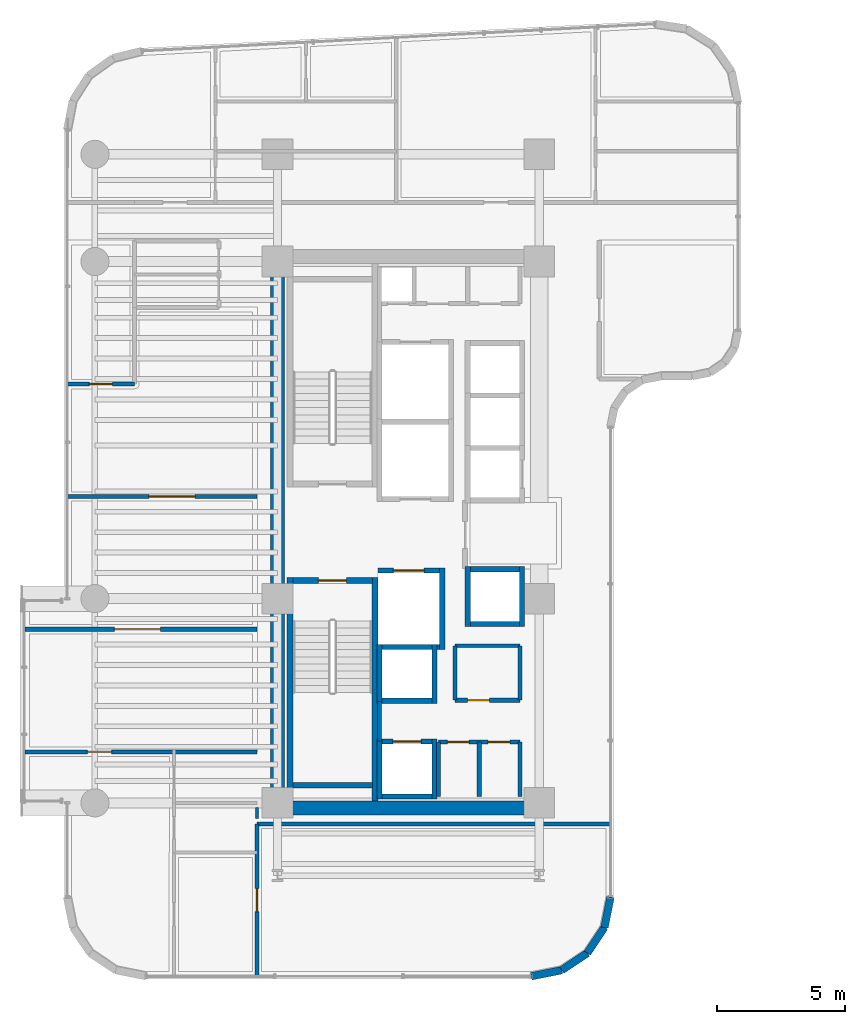
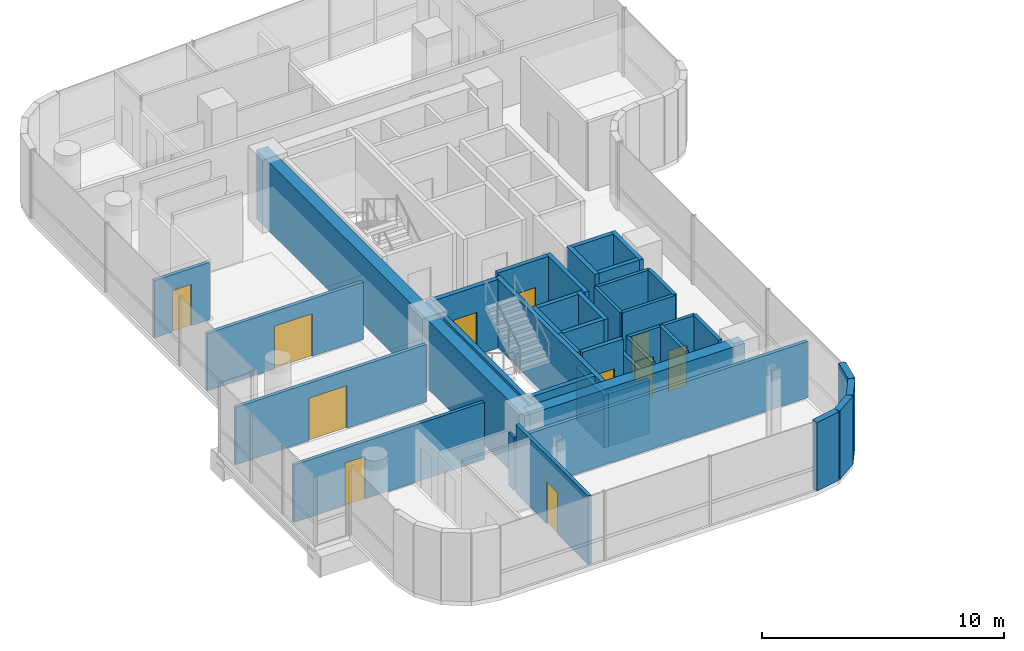
# One storey, part 26 of 34: 40 walls, 11 doors, 11 openings.
"""IFC4 building model written with IfcOpenShell, lengths in metres."""

from ifc_helpers import new_model, si_unit, direction, frame, frame_2d, origin, place, context, subcontext, project, spatial, rectangle, extrude, material, layer, layer_set, type_object, element, fill, save


model = new_model("IFC4")

# Units and contexts
model_context = context("Model", 3, precision=1e-05, world=origin(), true_north=direction((0.0, 1.0)))
body_context = subcontext(model_context, "Body", "Model", "MODEL_VIEW")
ifc_project = project(units=[si_unit("LENGTHUNIT", "METRE"), si_unit("AREAUNIT", "SQUARE_METRE"), si_unit("VOLUMEUNIT", "CUBIC_METRE"), si_unit("PLANEANGLEUNIT", "RADIAN"), si_unit("MASSUNIT", "GRAM", prefix="KILO")], contexts=[model_context])

# Site, building, storey
site_placement = place(None, origin())
site = spatial("IfcSite", under=ifc_project, at=site_placement, CompositionType="ELEMENT")
building_placement = place(site_placement, origin())
building = spatial("IfcBuilding", under=site, at=building_placement, Name="Valdorenza Pilgrim Sanctuary Tower", CompositionType="ELEMENT")
storey_placement = place(building_placement, frame((0.0, 0.0, 161.199951171875)))
storey = spatial("IfcBuildingStorey", under=building, at=storey_placement, Name="L41", CompositionType="ELEMENT", Elevation=161.199951171875)

# Wall
ifc_material_1 = material(Name="Acoustic twin-stud gypsum partition", Category="gypsum")
ifc_layer_1 = layer(ifc_material_1, 0.159912109375, Name="Acoustic twin-stud gypsum partition")
ifc_layer_set_1 = layer_set([ifc_layer_1], Name="Acoustic twin-stud gypsum partition")
wall_type_1 = type_object("IfcWallType", Name="WAL-COR-160", PredefinedType="PARTITIONING", material=ifc_layer_set_1)
wall_1_placement = place(storey_placement, frame((-18.64990234375, -8.179931640625, 0.0), z_axis=(0.0, 0.0, 1.0), x_axis=(0.0, 1.0, 0.0)))
element("IfcWall", 1, at=wall_1_placement, inside=storey, type_object=wall_type_1, Name="L41 Core A South Lift Hall West Wall", PredefinedType="PARTITIONING", context=body_context, shape_type="SweptSolid", body=[
    extrude(rectangle(XDim=1.559814453125, YDim=0.159912109375, at=frame_2d((0.77978515625, 0.0))), origin(), (0.0, 0.0, 1.0), 3.4599609375),
])

# Wall, openings, doors
wall_2_placement = place(storey_placement, frame((-16.35009765625, -8.219970703125, 0.0), z_axis=(0.0, 0.0, 1.0), x_axis=(1.0, 0.0, 0.0)))
wall_2 = element("IfcWall", 2, at=wall_2_placement, inside=storey, type_object=wall_type_1, Name="L41 Freed Shaft 1 North Wall", PredefinedType="PARTITIONING", context=body_context, shape_type="SweptSolid", body=[
    extrude(rectangle(XDim=3.2001953125, YDim=0.159912109375, at=frame_2d((1.60009765625, 0.0))), origin(), (0.0, 0.0, 1.0), 3.4599609375),
])
opening_1_placement = place(wall_2_placement, frame((0.35009765625, 0.0, 0.0)))
opening_1 = element("IfcOpeningElement", 3, at=opening_1_placement, cuts=wall_2, Name="Opening DR-RS1", PredefinedType="OPENING", context=body_context, shape_type="SweptSolid", body=[
    extrude(rectangle(XDim=0.85009765625, YDim=2.050048828125, at=frame_2d((0.425048828125, 1.02490234375))), frame((0.0, 0.0947265625, 0.0), z_axis=(0.0, -1.0, 0.0), x_axis=(1.0, 0.0, 0.0)), (0.0, 0.0, 1.0), 0.189697265625),
])
opening_2_placement = place(wall_2_placement, frame((1.949951171875, 0.0, 0.0)))
opening_2 = element("IfcOpeningElement", 4, at=opening_2_placement, cuts=wall_2, Name="Opening DR-RS1", PredefinedType="OPENING", context=body_context, shape_type="SweptSolid", body=[
    extrude(rectangle(XDim=0.85009765625, YDim=2.050048828125, at=frame_2d((0.425048828125, 1.02490234375))), frame((0.0, 0.0947265625, 0.0), z_axis=(0.0, -1.0, 0.0), x_axis=(1.0, 0.0, 0.0)), (0.0, 0.0, 1.0), 0.189697265625),
])
ifc_material_2 = material(Name="Painted galvanized steel", Category="steel")
door_type_1 = type_object("IfcDoorType", Name="DR-RSR-850", OperationType="NOTDEFINED", PredefinedType="DOOR", material=ifc_material_2)
door_1_placement = place(opening_1_placement, origin())
door_1 = element("IfcDoor", 5, at=door_1_placement, inside=storey, type_object=door_type_1, Name="L41 Linen Store Door", OperationType="SINGLE_SWING_RIGHT", OverallHeight=2.050048828125, OverallWidth=0.85009765625, PredefinedType="DOOR", context=body_context, shape_type="SweptSolid", body=[
    extrude(rectangle(XDim=0.85009765625, YDim=2.050048828125, at=frame_2d((0.425048828125, 1.02490234375))), frame((0.0, 0.02490234375, 0.0), z_axis=(0.0, -1.0, 0.0), x_axis=(1.0, 0.0, 0.0)), (0.0, 0.0, 1.0), 0.050048828125),
])
fill(opening_1, door_1)
door_2_placement = place(opening_2_placement, origin())
door_2 = element("IfcDoor", 6, at=door_2_placement, inside=storey, type_object=door_type_1, Name="L41 Cot Store Door", OperationType="SINGLE_SWING_LEFT", OverallHeight=2.050048828125, OverallWidth=0.85009765625, PredefinedType="DOOR", context=body_context, shape_type="SweptSolid", body=[
    extrude(rectangle(XDim=0.85009765625, YDim=2.050048828125, at=frame_2d((0.425048828125, 1.02490234375))), frame((0.0, 0.02490234375, 0.0), z_axis=(0.0, -1.0, 0.0), x_axis=(1.0, 0.0, 0.0)), (0.0, 0.0, 1.0), 0.050048828125),
])
fill(opening_2, door_2)

# Walls
for number, where, z_axis, x_axis, name in (
    (7, (-13.14990234375, -10.35009765625, 0.0), (0.0, 0.0, 1.0), (0.0, 1.0, 0.0), "L41 Freed Shaft 1 East Wall"),
    (8, (-14.75, -10.35009765625, 0.0), (0.0, 0.0, 1.0), (0.0, 1.0, 0.0), "L41 Freed Shaft 1 Split Wall"),
):
    element("IfcWall", number, at=place(storey_placement, frame(where, z_axis=z_axis, x_axis=x_axis)), inside=storey, type_object=wall_type_1, Name=name, PredefinedType="PARTITIONING", context=body_context, shape_type="SweptSolid", body=[
        extrude(rectangle(XDim=2.130126953125, YDim=0.159912109375, at=frame_2d((1.06494140625, 0.0))), origin(), (0.0, 0.0, 1.0), 3.4599609375),
    ])

# Wall, opening, door
wall_3_placement = place(storey_placement, frame((-15.699951171875, -6.580078125, 0.0), z_axis=(0.0, 0.0, 1.0), x_axis=(1.0, 0.0, 0.0)))
wall_3 = element("IfcWall", 9, at=wall_3_placement, inside=storey, type_object=wall_type_1, Name="L41 Freed Shaft 2 South Wall", PredefinedType="PARTITIONING", context=body_context, shape_type="SweptSolid", body=[
    extrude(rectangle(XDim=2.550048828125, YDim=0.159912109375, at=frame_2d((1.27490234375, 0.0))), origin(), (0.0, 0.0, 1.0), 3.4599609375),
])
opening_3_placement = place(wall_3_placement, frame((0.5, 0.0, 0.0)))
opening_3 = element("IfcOpeningElement", 10, at=opening_3_placement, cuts=wall_3, Name="Opening DR-RS1", PredefinedType="OPENING", context=body_context, shape_type="SweptSolid", body=[
    extrude(rectangle(XDim=0.85009765625, YDim=2.050048828125, at=frame_2d((0.425048828125, 1.02490234375))), frame((0.0, 0.0947265625, 0.0), z_axis=(0.0, -1.0, 0.0), x_axis=(1.0, 0.0, 0.0)), (0.0, 0.0, 1.0), 0.189697265625),
])
door_3_placement = place(opening_3_placement, origin())
door_3 = element("IfcDoor", 11, at=door_3_placement, inside=storey, type_object=door_type_1, Name="L41 Guest Tea Pantry Door", OperationType="SINGLE_SWING_RIGHT", OverallHeight=2.050048828125, OverallWidth=0.85009765625, PredefinedType="DOOR", context=body_context, shape_type="SweptSolid", body=[
    extrude(rectangle(XDim=0.85009765625, YDim=2.050048828125, at=frame_2d((0.425048828125, 1.02490234375))), frame((0.0, 0.02490234375, 0.0), z_axis=(0.0, -1.0, 0.0), x_axis=(1.0, 0.0, 0.0)), (0.0, 0.0, 1.0), 0.050048828125),
])
fill(opening_3, door_3)

# Walls
wall_4_placement = place(storey_placement, frame((-13.14990234375, -6.580078125, 0.0), z_axis=(0.0, 0.0, 1.0), x_axis=(0.0, 1.0, 0.0)))
element("IfcWall", 12, at=wall_4_placement, inside=storey, type_object=wall_type_1, Name="L41 Freed Shaft 2 East Wall", PredefinedType="PARTITIONING", context=body_context, shape_type="SweptSolid", body=[
    extrude(rectangle(XDim=2.130126953125, YDim=0.159912109375, at=frame_2d((1.06494140625, 0.0))), origin(), (0.0, 0.0, 1.0), 3.4599609375),
])
wall_5_placement = place(storey_placement, frame((-23.449951171875, -11.419921875, 0.0), z_axis=(0.0, 0.0, 1.0), x_axis=(1.0, 0.0, 0.0)))
element("IfcWall", 13, at=wall_5_placement, inside=storey, type_object=wall_type_1, Name="L41 South-East Pocket North Wall", PredefinedType="PARTITIONING", context=body_context, shape_type="SweptSolid", body=[
    extrude(rectangle(XDim=13.83984375, YDim=0.159912109375, at=frame_2d((6.919921875, 0.0))), origin(), (0.0, 0.0, 1.0), 2.833984375),
])

# Wall, opening, door
wall_6_placement = place(storey_placement, frame((-23.449951171875, -17.389892578125, 0.0), z_axis=(0.0, 0.0, 1.0), x_axis=(0.0, 1.0, 0.0)))
wall_6 = element("IfcWall", 14, at=wall_6_placement, inside=storey, type_object=wall_type_1, Name="L41 South-East Pocket West Wall", PredefinedType="PARTITIONING", context=body_context, shape_type="SweptSolid", body=[
    extrude(rectangle(XDim=5.969970703125, YDim=0.159912109375, at=frame_2d((2.98486328125, 0.0))), origin(), (0.0, 0.0, 1.0), 3.4599609375),
])
opening_4_placement = place(wall_6_placement, frame((2.534912109375, 0.0, 0.0)))
opening_4 = element("IfcOpeningElement", 15, at=opening_4_placement, cuts=wall_6, Name="Opening DR-RM1", PredefinedType="OPENING", context=body_context, shape_type="SweptSolid", body=[
    extrude(rectangle(XDim=0.89990234375, YDim=2.10009765625, at=frame_2d((0.449951171875, 1.050048828125))), frame((0.0, 0.0947265625, 0.0), z_axis=(0.0, -1.0, 0.0), x_axis=(1.0, 0.0, 0.0)), (0.0, 0.0, 1.0), 0.189697265625),
])
ifc_material_3 = material(Name="Solid-core European oak timber", Category="wood")
door_type_2 = type_object("IfcDoorType", Name="DR-ROOM-900", OperationType="NOTDEFINED", PredefinedType="DOOR", material=ifc_material_3)
door_4_placement = place(opening_4_placement, origin())
door_4 = element("IfcDoor", 16, at=door_4_placement, inside=storey, type_object=door_type_2, Name="L41 Sacred Archive Reading Library L41-S Door", OperationType="SINGLE_SWING_RIGHT", OverallHeight=2.10009765625, OverallWidth=0.89990234375, PredefinedType="DOOR", context=body_context, shape_type="SweptSolid", body=[
    extrude(rectangle(XDim=0.89990234375, YDim=2.10009765625, at=frame_2d((0.449951171875, 1.050048828125))), frame((0.0, 0.02490234375, 0.0), z_axis=(0.0, -1.0, 0.0), x_axis=(1.0, 0.0, 0.0)), (0.0, 0.0, 1.0), 0.050048828125),
])
fill(opening_4, door_4)

wall_7_placement = place(storey_placement, frame((-32.5400390625, -8.60009765625, 0.0), z_axis=(0.0, 0.0, 1.0), x_axis=(1.0, 0.0, 0.0)))
wall_7 = element("IfcWall", 17, at=wall_7_placement, inside=storey, type_object=wall_type_1, Name="L41 Cloister South Room Wall", PredefinedType="PARTITIONING", context=body_context, shape_type="SweptSolid", body=[
    extrude(rectangle(XDim=9.090087890625, YDim=0.159912109375, at=frame_2d((4.544921875, 0.0))), origin(), (0.0, 0.0, 1.0), 2.89599609375),
])
opening_5_placement = place(wall_7_placement, frame((2.44091796875, 0.0, 0.0)))
opening_5 = element("IfcOpeningElement", 18, at=opening_5_placement, cuts=wall_7, Name="Opening DR-UN1", PredefinedType="OPENING", context=body_context, shape_type="SweptSolid", body=[
    extrude(rectangle(XDim=0.949951171875, YDim=2.14990234375, at=frame_2d((0.47509765625, 1.074951171875))), frame((0.0, 0.0947265625, 0.0), z_axis=(0.0, -1.0, 0.0), x_axis=(1.0, 0.0, 0.0)), (0.0, 0.0, 1.0), 0.189697265625),
])
door_type_3 = type_object("IfcDoorType", Name="DR-UNIT-950", OperationType="NOTDEFINED", PredefinedType="DOOR", material=ifc_material_3)
door_5_placement = place(opening_5_placement, frame((0.949951171875, 0.0, 0.0), z_axis=(0.0, 0.0, 1.0), x_axis=(-1.0, 0.0, 0.0)))
door_5 = element("IfcDoor", 19, at=door_5_placement, inside=storey, type_object=door_type_3, Name="L41 Sanctuary Apartment L41-CS1 Entrance Door", OperationType="SINGLE_SWING_LEFT", OverallHeight=2.14990234375, OverallWidth=0.949951171875, PredefinedType="DOOR", context=body_context, shape_type="SweptSolid", body=[
    extrude(rectangle(XDim=0.949951171875, YDim=2.14990234375, at=frame_2d((0.47509765625, 1.074951171875))), frame((0.0, 0.02490234375, 0.0), z_axis=(0.0, -1.0, 0.0), x_axis=(1.0, 0.0, 0.0)), (0.0, 0.0, 1.0), 0.050048828125),
])
fill(opening_5, door_5)

wall_8_placement = place(storey_placement, frame((-30.889892578125, 5.800048828125, 0.0), z_axis=(0.0, 0.0, 1.0), x_axis=(1.0, 0.0, 0.0)))
wall_8 = element("IfcWall", 20, at=wall_8_placement, inside=storey, type_object=wall_type_1, Name="L41 Cloister North Room Wall", PredefinedType="PARTITIONING", context=body_context, shape_type="SweptSolid", body=[
    extrude(rectangle(XDim=2.639892578125, YDim=0.159912109375, at=frame_2d((1.31982421875, 0.0))), origin(), (0.0, 0.0, 1.0), 2.89599609375),
])
opening_6_placement = place(wall_8_placement, frame((0.8701171875, 0.0, 0.0)))
opening_6 = element("IfcOpeningElement", 21, at=opening_6_placement, cuts=wall_8, Name="Opening DR-RM1", PredefinedType="OPENING", context=body_context, shape_type="SweptSolid", body=[
    extrude(rectangle(XDim=0.89990234375, YDim=2.10009765625, at=frame_2d((0.449951171875, 1.050048828125))), frame((0.0, 0.0947265625, 0.0), z_axis=(0.0, -1.0, 0.0), x_axis=(1.0, 0.0, 0.0)), (0.0, 0.0, 1.0), 0.189697265625),
])
door_6_placement = place(opening_6_placement, frame((0.89990234375, 0.0, 0.0), z_axis=(0.0, 0.0, 1.0), x_axis=(-1.0, 0.0, 0.0)))
door_6 = element("IfcDoor", 22, at=door_6_placement, inside=storey, type_object=door_type_2, Name="L41 Pilgrim Scholar Office L41-1 Door", OperationType="SINGLE_SWING_LEFT", OverallHeight=2.10009765625, OverallWidth=0.89990234375, PredefinedType="DOOR", context=body_context, shape_type="SweptSolid", body=[
    extrude(rectangle(XDim=0.89990234375, YDim=2.10009765625, at=frame_2d((0.449951171875, 1.050048828125))), frame((0.0, 0.02490234375, 0.0), z_axis=(0.0, -1.0, 0.0), x_axis=(1.0, 0.0, 0.0)), (0.0, 0.0, 1.0), 0.050048828125),
])
fill(opening_6, door_6)

wall_9_placement = place(storey_placement, frame((-32.5400390625, -3.800048828125, 0.0), z_axis=(0.0, 0.0, 1.0), x_axis=(1.0, 0.0, 0.0)))
wall_9 = element("IfcWall", 23, at=wall_9_placement, inside=storey, type_object=wall_type_1, Name="L41 Cloister Mid Wall 1", PredefinedType="PARTITIONING", context=body_context, shape_type="SweptSolid", body=[
    extrude(rectangle(XDim=9.090087890625, YDim=0.159912109375, at=frame_2d((4.544921875, 0.0))), origin(), (0.0, 0.0, 1.0), 2.89599609375),
])
opening_7_placement = place(wall_9_placement, frame((3.5, 0.0, 0.0)))
opening_7 = element("IfcOpeningElement", 24, at=opening_7_placement, cuts=wall_9, Name="Opening DR-HL1", PredefinedType="OPENING", context=body_context, shape_type="SweptSolid", body=[
    extrude(rectangle(XDim=1.800048828125, YDim=2.14990234375, at=frame_2d((0.89990234375, 1.074951171875))), frame((0.0, 0.0947265625, 0.0), z_axis=(0.0, -1.0, 0.0), x_axis=(1.0, 0.0, 0.0)), (0.0, 0.0, 1.0), 0.189697265625),
])
ifc_material_4 = material(Name="Acoustic oak and vision-glass double door", Category="glass")
door_type_4 = type_object("IfcDoorType", Name="DR-HALL-1800", OperationType="NOTDEFINED", PredefinedType="DOOR", material=ifc_material_4)
door_7_placement = place(opening_7_placement, origin())
door_7 = element("IfcDoor", 25, at=door_7_placement, inside=storey, type_object=door_type_4, Name="L41 Cloister South-Mid Double Door", OperationType="DOUBLE_DOOR_SINGLE_SWING", OverallHeight=2.14990234375, OverallWidth=1.800048828125, PredefinedType="DOOR", context=body_context, shape_type="SweptSolid", body=[
    extrude(rectangle(XDim=1.800048828125, YDim=2.14990234375, at=frame_2d((0.89990234375, 1.074951171875))), frame((0.0, 0.02490234375, 0.0), z_axis=(0.0, -1.0, 0.0), x_axis=(1.0, 0.0, 0.0)), (0.0, 0.0, 1.0), 0.050048828125),
])
fill(opening_7, door_7)

wall_10_placement = place(storey_placement, frame((-30.889892578125, 1.39990234375, 0.0), z_axis=(0.0, 0.0, 1.0), x_axis=(1.0, 0.0, 0.0)))
wall_10 = element("IfcWall", 26, at=wall_10_placement, inside=storey, type_object=wall_type_1, Name="L41 Cloister Mid Wall 2", PredefinedType="PARTITIONING", context=body_context, shape_type="SweptSolid", body=[
    extrude(rectangle(XDim=7.43994140625, YDim=0.159912109375, at=frame_2d((3.719970703125, 0.0))), origin(), (0.0, 0.0, 1.0), 2.89599609375),
])
opening_8_placement = place(wall_10_placement, frame((3.199951171875, 0.0, 0.0)))
opening_8 = element("IfcOpeningElement", 27, at=opening_8_placement, cuts=wall_10, Name="Opening DR-HL1", PredefinedType="OPENING", context=body_context, shape_type="SweptSolid", body=[
    extrude(rectangle(XDim=1.800048828125, YDim=2.14990234375, at=frame_2d((0.89990234375, 1.074951171875))), frame((0.0, 0.0947265625, 0.0), z_axis=(0.0, -1.0, 0.0), x_axis=(1.0, 0.0, 0.0)), (0.0, 0.0, 1.0), 0.189697265625),
])
door_8_placement = place(opening_8_placement, frame((1.800048828125, 0.0, 0.0), z_axis=(0.0, 0.0, 1.0), x_axis=(-1.0, 0.0, 0.0)))
door_8 = element("IfcDoor", 28, at=door_8_placement, inside=storey, type_object=door_type_4, Name="L41 Cloister Mid-North Double Door", OperationType="DOUBLE_DOOR_SINGLE_SWING", OverallHeight=2.14990234375, OverallWidth=1.800048828125, PredefinedType="DOOR", context=body_context, shape_type="SweptSolid", body=[
    extrude(rectangle(XDim=1.800048828125, YDim=2.14990234375, at=frame_2d((0.89990234375, 1.074951171875))), frame((0.0, 0.02490234375, 0.0), z_axis=(0.0, -1.0, 0.0), x_axis=(1.0, 0.0, 0.0)), (0.0, 0.0, 1.0), 0.050048828125),
])
fill(opening_8, door_8)

# Walls
ifc_material_5 = material(Name="Concrete C50/60", Category="concrete")
ifc_layer_2 = layer(ifc_material_5, 0.550048828125, Name="Concrete C50/60")
ifc_layer_set_2 = layer_set([ifc_layer_2], Name="Concrete C50/60")
wall_type_2 = type_object("IfcWallType", Name="WAL-COR-550", PredefinedType="SHEAR", material=ifc_layer_set_2)
wall_11_placement = place(storey_placement, frame((-22.64990234375, -11.074951171875, 0.0), z_axis=(0.0, 0.0, 1.0), x_axis=(0.0, 1.0, 0.0)))
element("IfcWall", 29, at=wall_11_placement, inside=storey, type_object=wall_type_2, Name="L41 Split Core A Shear Wall W", PredefinedType="SHEAR", context=body_context, shape_type="SweptSolid", body=[
    extrude(rectangle(XDim=22.14990234375, YDim=0.550048828125, at=frame_2d((11.074951171875, 0.0))), origin(), (0.0, 0.0, 1.0), 3.4599609375),
])
wall_12_placement = place(storey_placement, frame((-22.64990234375, -10.800048828125, 0.0), z_axis=(0.0, 0.0, 1.0), x_axis=(1.0, 0.0, 0.0)))
element("IfcWall", 30, at=wall_12_placement, inside=storey, type_object=wall_type_2, Name="L41 Split Core A Shear Wall S", PredefinedType="SHEAR", context=body_context, shape_type="SweptSolid", body=[
    extrude(rectangle(XDim=10.25, YDim=0.550048828125, at=frame_2d((5.125, 0.0))), origin(), (0.0, 0.0, 1.0), 3.4599609375),
])
ifc_material_6 = material(Name="Honed travertine limestone", Category="masonry")
ifc_layer_3 = layer(ifc_material_6, 0.300048828125, Name="Honed travertine limestone")
ifc_layer_set_3 = layer_set([ifc_layer_3], Name="Honed travertine limestone")
wall_type_3 = type_object("IfcWallType", Name="WAL-EXT-300", PredefinedType="SOLIDWALL", material=ifc_layer_set_3)
wall_13_placement = place(storey_placement, frame((-9.610107421875, -14.289306640625, 0.0), z_axis=(0.0, 0.0, 1.0), x_axis=(-0.194996050505, -0.980804027463, 0.0)))
element("IfcWall", 31, at=wall_13_placement, inside=storey, type_object=wall_type_3, Name="L41 Rounded Wind-Corner Stone Pier 22", PredefinedType="SOLIDWALL", context=body_context, shape_type="SweptSolid", body=[
    extrude(rectangle(XDim=1.2158203125, YDim=0.300048828125, at=frame_2d((0.60791015625, 0.0))), origin(), (0.0, 0.0, 1.0), 3.4599609375),
])
for number, where, z_axis, x_axis, name in (
    (32, (-9.84716796875, -15.481689453125, 0.0), (0.0, 0.0, 1.0), (-0.555635100982, -0.831426265255, 0.0), "L41 Rounded Wind-Corner Stone Pier 23"),
    (33, (-10.5166015625, -16.4833984375, 0.0), (0.0, 0.0, 1.0), (-0.831426265255, -0.555635100982, 0.0), "L41 Rounded Wind-Corner Stone Pier 24"),
):
    element("IfcWall", number, at=place(storey_placement, frame(where, z_axis=z_axis, x_axis=x_axis)), inside=storey, type_object=wall_type_3, Name=name, PredefinedType="SOLIDWALL", context=body_context, shape_type="SweptSolid", body=[
        extrude(rectangle(XDim=1.204833984375, YDim=0.300048828125, at=frame_2d((0.6025390625, 0.0))), origin(), (0.0, 0.0, 1.0), 3.4599609375),
    ])
wall_14_placement = place(storey_placement, frame((-11.518310546875, -17.15283203125, 0.0), z_axis=(0.0, 0.0, 1.0), x_axis=(-0.980804027463, -0.194996050505, 0.0)))
element("IfcWall", 34, at=wall_14_placement, inside=storey, type_object=wall_type_3, Name="L41 Rounded Wind-Corner Stone Pier 25", PredefinedType="SOLIDWALL", context=body_context, shape_type="SweptSolid", body=[
    extrude(rectangle(XDim=1.2158203125, YDim=0.300048828125, at=frame_2d((0.60791015625, 0.0))), origin(), (0.0, 0.0, 1.0), 3.4599609375),
])
ifc_material_7 = material(Name="Moisture-resistant gypsum partition", Category="gypsum")
ifc_layer_4 = layer(ifc_material_7, 0.1201171875, Name="Moisture-resistant gypsum partition")
ifc_layer_set_4 = layer_set([ifc_layer_4], Name="Moisture-resistant gypsum partition")
wall_type_4 = type_object("IfcWallType", Name="WAL-INT-120", PredefinedType="PARTITIONING", material=ifc_layer_set_4)
wall_15_placement = place(storey_placement, frame((-23.449951171875, -11.219970703125, 0.0), z_axis=(0.0, 0.0, 1.0), x_axis=(0.0, 1.0, 0.0)))
element("IfcWall", 35, at=wall_15_placement, inside=storey, type_object=wall_type_4, Name="L41 CL-SF1-BTH Enclosure Wall E", PredefinedType="PARTITIONING", context=body_context, shape_type="SweptSolid", body=[
    extrude(rectangle(XDim=0.43994140625, YDim=0.1201171875, at=frame_2d((0.219970703125, 0.0))), origin(), (0.0, 0.0, 1.0), 2.666015625),
])
ifc_material_8 = material(Name="Autoclaved aerated concrete blockwork", Category="masonry")
ifc_layer_5 = layer(ifc_material_8, 0.199951171875, Name="Autoclaved aerated concrete blockwork")
ifc_layer_set_5 = layer_set([ifc_layer_5], Name="Autoclaved aerated concrete blockwork")
wall_type_5 = type_object("IfcWallType", Name="WAL-SHF-200", PredefinedType="MOVABLE", material=ifc_layer_set_5)
wall_16_placement = place(storey_placement, frame((-16.199951171875, -4.60009765625, 0.0), z_axis=(0.0, 0.0, 1.0), x_axis=(0.0, 1.0, 0.0)))
element("IfcWall", 36, at=wall_16_placement, inside=storey, type_object=wall_type_5, Name="L41 Lift FFL-02 Hoistway Wall East", PredefinedType="MOVABLE", context=body_context, shape_type="SweptSolid", body=[
    extrude(rectangle(XDim=3.2001953125, YDim=0.199951171875, at=frame_2d((1.60009765625, 0.0))), origin(), (0.0, 0.0, 1.0), 3.4599609375),
])
wall_17_placement = place(storey_placement, frame((-18.719970703125, -4.5, 0.0), z_axis=(0.0, 0.0, 1.0), x_axis=(1.0, 0.0, 0.0)))
element("IfcWall", 37, at=wall_17_placement, inside=storey, type_object=wall_type_5, Name="L41 Lift FFL-02 Hoistway Wall South", PredefinedType="MOVABLE", context=body_context, shape_type="SweptSolid", body=[
    extrude(rectangle(XDim=2.419921875, YDim=0.199951171875, at=frame_2d((1.2099609375, 0.0))), origin(), (0.0, 0.0, 1.0), 3.4599609375),
])

# Wall, opening, door
wall_18_placement = place(storey_placement, frame((-18.719970703125, -1.5, 0.0), z_axis=(0.0, 0.0, 1.0), x_axis=(1.0, 0.0, 0.0)))
wall_18 = element("IfcWall", 38, at=wall_18_placement, inside=storey, type_object=wall_type_5, Name="L41 Lift FFL-02 Hoistway Wall North", PredefinedType="MOVABLE", context=body_context, shape_type="SweptSolid", body=[
    extrude(rectangle(XDim=2.419921875, YDim=0.199951171875, at=frame_2d((1.2099609375, 0.0))), origin(), (0.0, 0.0, 1.0), 3.4599609375),
])
opening_9_placement = place(wall_18_placement, frame((0.610107421875, 0.0, 0.0)))
opening_9 = element("IfcOpeningElement", 39, at=opening_9_placement, cuts=wall_18, Name="Opening LD-02", PredefinedType="OPENING", context=body_context, shape_type="SweptSolid", body=[
    extrude(rectangle(XDim=1.199951171875, YDim=2.10009765625, at=frame_2d((0.60009765625, 1.050048828125))), frame((0.0, 0.11474609375, 0.0), z_axis=(0.0, -1.0, 0.0), x_axis=(1.0, 0.0, 0.0)), (0.0, 0.0, 1.0), 0.229736328125),
])
ifc_material_9 = material(Name="Brushed stainless steel Grade 316", Category="steel")
door_type_5 = type_object("IfcDoorType", Name="DR-LFT-1200", OperationType="DOUBLE_DOOR_SLIDING", PredefinedType="DOOR", material=ifc_material_9)
door_9_placement = place(opening_9_placement, origin())
door_9 = element("IfcDoor", 40, at=door_9_placement, inside=storey, type_object=door_type_5, Name="L41 Lift FFL-02 Sliding Landing Door", OperationType="DOUBLE_DOOR_SLIDING", OverallHeight=2.10009765625, OverallWidth=1.199951171875, PredefinedType="DOOR", context=body_context, shape_type="SweptSolid", body=[
    extrude(rectangle(XDim=1.199951171875, YDim=2.10009765625, at=frame_2d((0.60009765625, 1.050048828125))), frame((0.0, 0.02490234375, 0.0), z_axis=(0.0, -1.0, 0.0), x_axis=(1.0, 0.0, 0.0)), (0.0, 0.0, 1.0), 0.050048828125),
])
fill(opening_9, door_9)

# Walls
for number, where, z_axis, x_axis, name in (
    (41, (-18.64990234375, -10.449951171875, 0.0), (0.0, 0.0, 1.0), (0.0, 1.0, 0.0), "L41 Lift PL-05 Hoistway Wall West"),
    (42, (-16.5, -10.449951171875, 0.0), (0.0, 0.0, 1.0), (0.0, 1.0, 0.0), "L41 Lift PL-05 Hoistway Wall East"),
):
    element("IfcWall", number, at=place(storey_placement, frame(where, z_axis=z_axis, x_axis=x_axis)), inside=storey, type_object=wall_type_5, Name=name, PredefinedType="MOVABLE", context=body_context, shape_type="SweptSolid", body=[
        extrude(rectangle(XDim=2.349853515625, YDim=0.199951171875, at=frame_2d((1.1748046875, 0.0))), origin(), (0.0, 0.0, 1.0), 2.666015625),
    ])
wall_19_placement = place(storey_placement, frame((-18.550048828125, -10.35009765625, 0.0), z_axis=(0.0, 0.0, 1.0), x_axis=(1.0, 0.0, 0.0)))
element("IfcWall", 43, at=wall_19_placement, inside=storey, type_object=wall_type_5, Name="L41 Lift PL-05 Hoistway Wall South", PredefinedType="MOVABLE", context=body_context, shape_type="SweptSolid", body=[
    extrude(rectangle(XDim=1.949951171875, YDim=0.199951171875, at=frame_2d((0.97509765625, 0.0))), origin(), (0.0, 0.0, 1.0), 2.666015625),
])

# Wall, opening, door
wall_20_placement = place(storey_placement, frame((-18.550048828125, -8.199951171875, 0.0), z_axis=(0.0, 0.0, 1.0), x_axis=(1.0, 0.0, 0.0)))
wall_20 = element("IfcWall", 44, at=wall_20_placement, inside=storey, type_object=wall_type_5, Name="L41 Lift PL-05 Hoistway Wall North", PredefinedType="MOVABLE", context=body_context, shape_type="SweptSolid", body=[
    extrude(rectangle(XDim=1.949951171875, YDim=0.199951171875, at=frame_2d((0.97509765625, 0.0))), origin(), (0.0, 0.0, 1.0), 3.4599609375),
])
opening_10_placement = place(wall_20_placement, frame((0.425048828125, 0.0, 0.0)))
opening_10 = element("IfcOpeningElement", 45, at=opening_10_placement, cuts=wall_20, Name="Opening LD-01", PredefinedType="OPENING", context=body_context, shape_type="SweptSolid", body=[
    extrude(rectangle(XDim=1.10009765625, YDim=2.10009765625, at=frame_2d((0.550048828125, 1.050048828125))), frame((0.0, 0.11474609375, 0.0), z_axis=(0.0, -1.0, 0.0), x_axis=(1.0, 0.0, 0.0)), (0.0, 0.0, 1.0), 0.229736328125),
])
door_type_6 = type_object("IfcDoorType", Name="DR-LFT-1100", OperationType="DOUBLE_DOOR_SLIDING", PredefinedType="DOOR", material=ifc_material_9)
door_10_placement = place(opening_10_placement, origin())
door_10 = element("IfcDoor", 46, at=door_10_placement, inside=storey, type_object=door_type_6, Name="L41 Lift PL-05 Sliding Landing Door", OperationType="DOUBLE_DOOR_SLIDING", OverallHeight=2.10009765625, OverallWidth=1.10009765625, PredefinedType="DOOR", context=body_context, shape_type="SweptSolid", body=[
    extrude(rectangle(XDim=1.10009765625, YDim=2.10009765625, at=frame_2d((0.550048828125, 1.050048828125))), frame((0.0, 0.02490234375, 0.0), z_axis=(0.0, -1.0, 0.0), x_axis=(1.0, 0.0, 0.0)), (0.0, 0.0, 1.0), 0.050048828125),
])
fill(opening_10, door_10)

# Walls
for number, where, z_axis, x_axis, name in (
    (47, (-18.64990234375, -6.699951171875, 0.0), (0.0, 0.0, 1.0), (0.0, 1.0, 0.0), "L41 Lift PL-11 Hoistway Wall West"),
    (48, (-16.5, -6.699951171875, 0.0), (0.0, 0.0, 1.0), (0.0, 1.0, 0.0), "L41 Lift PL-11 Hoistway Wall East"),
):
    element("IfcWall", number, at=place(storey_placement, frame(where, z_axis=z_axis, x_axis=x_axis)), inside=storey, type_object=wall_type_5, Name=name, PredefinedType="MOVABLE", context=body_context, shape_type="SweptSolid", body=[
        extrude(rectangle(XDim=2.300048828125, YDim=0.199951171875, at=frame_2d((1.14990234375, 0.0))), origin(), (0.0, 0.0, 1.0), 3.4599609375),
    ])
wall_21_placement = place(storey_placement, frame((-18.550048828125, -6.60009765625, 0.0), z_axis=(0.0, 0.0, 1.0), x_axis=(1.0, 0.0, 0.0)))
element("IfcWall", 49, at=wall_21_placement, inside=storey, type_object=wall_type_5, Name="L41 Lift PL-11 Hoistway Wall South", PredefinedType="MOVABLE", context=body_context, shape_type="SweptSolid", body=[
    extrude(rectangle(XDim=1.949951171875, YDim=0.199951171875, at=frame_2d((0.97509765625, 0.0))), origin(), (0.0, 0.0, 1.0), 3.4599609375),
])
for number, where, z_axis, x_axis, name in (
    (50, (-15.199951171875, -3.699951171875, 0.0), (0.0, 0.0, 1.0), (0.0, 1.0, 0.0), "L41 Lift PL-12 Hoistway Wall West"),
    (51, (-13.080078125, -3.699951171875, 0.0), (0.0, 0.0, 1.0), (0.0, 1.0, 0.0), "L41 Lift PL-12 Hoistway Wall East"),
):
    element("IfcWall", number, at=place(storey_placement, frame(where, z_axis=z_axis, x_axis=x_axis)), inside=storey, type_object=wall_type_5, Name=name, PredefinedType="MOVABLE", context=body_context, shape_type="SweptSolid", body=[
        extrude(rectangle(XDim=2.349853515625, YDim=0.199951171875, at=frame_2d((1.1748046875, 0.0))), origin(), (0.0, 0.0, 1.0), 3.4599609375),
    ])
for number, where, z_axis, x_axis, name in (
    (52, (-15.10009765625, -3.60009765625, 0.0), (0.0, 0.0, 1.0), (1.0, 0.0, 0.0), "L41 Lift PL-12 Hoistway Wall South"),
    (53, (-15.10009765625, -1.449951171875, 0.0), (0.0, 0.0, 1.0), (1.0, 0.0, 0.0), "L41 Lift PL-12 Hoistway Wall North"),
):
    element("IfcWall", number, at=place(storey_placement, frame(where, z_axis=z_axis, x_axis=x_axis)), inside=storey, type_object=wall_type_5, Name=name, PredefinedType="MOVABLE", context=body_context, shape_type="SweptSolid", body=[
        extrude(rectangle(XDim=1.920166015625, YDim=0.199951171875, at=frame_2d((0.9599609375, 0.0))), origin(), (0.0, 0.0, 1.0), 3.4599609375),
    ])
ifc_material_10 = material(Name="Concrete C40/50", Category="concrete")
ifc_layer_6 = layer(ifc_material_10, 0.219970703125, Name="Concrete C40/50")
ifc_layer_set_6 = layer_set([ifc_layer_6], Name="Concrete C40/50")
wall_type_6 = type_object("IfcWallType", Name="WAL-STR-SHF-220", PredefinedType="SHEAR", material=ifc_layer_set_6)
for number, where, z_axis, x_axis, name in (
    (54, (-22.159912109375, -10.52490234375, 0.0), (0.0, 0.0, 1.0), (0.0, 1.0, 0.0), "L41 ST-A2 Structural Stairwell Wall W"),
    (55, (-18.830078125, -10.52490234375, 0.0), (0.0, 0.0, 1.0), (0.0, 1.0, 0.0), "L41 ST-A2 Structural Stairwell Wall E"),
):
    element("IfcWall", number, at=place(storey_placement, frame(where, z_axis=z_axis, x_axis=x_axis)), inside=storey, type_object=wall_type_6, Name=name, PredefinedType="SHEAR", context=body_context, shape_type="SweptSolid", body=[
        extrude(rectangle(XDim=8.744873046875, YDim=0.219970703125, at=frame_2d((4.37255859375, 0.0))), origin(), (0.0, 0.0, 1.0), 3.4599609375),
    ])
wall_22_placement = place(storey_placement, frame((-22.050048828125, -9.909912109375, 0.0), z_axis=(0.0, 0.0, 1.0), x_axis=(1.0, 0.0, 0.0)))
element("IfcWall", 56, at=wall_22_placement, inside=storey, type_object=wall_type_6, Name="L41 ST-A2 Structural Stairwell Wall S", PredefinedType="SHEAR", context=body_context, shape_type="SweptSolid", body=[
    extrude(rectangle(XDim=3.110107421875, YDim=0.219970703125, at=frame_2d((1.55517578125, 0.0))), origin(), (0.0, 0.0, 1.0), 3.4599609375),
])

# Wall, opening, door
wall_23_placement = place(storey_placement, frame((-22.050048828125, -1.889892578125, 0.0), z_axis=(0.0, 0.0, 1.0), x_axis=(1.0, 0.0, 0.0)))
wall_23 = element("IfcWall", 57, at=wall_23_placement, inside=storey, type_object=wall_type_6, Name="L41 ST-A2 Structural Stairwell Wall N", PredefinedType="SHEAR", context=body_context, shape_type="SweptSolid", body=[
    extrude(rectangle(XDim=3.110107421875, YDim=0.219970703125, at=frame_2d((1.55517578125, 0.0))), origin(), (0.0, 0.0, 1.0), 3.4599609375),
])
opening_11_placement = place(wall_23_placement, frame((1.0, 0.0, 0.0)))
opening_11 = element("IfcOpeningElement", 58, at=opening_11_placement, cuts=wall_23, Name="Opening DR-ST1", PredefinedType="OPENING", context=body_context, shape_type="SweptSolid", body=[
    extrude(rectangle(XDim=1.10009765625, YDim=2.14990234375, at=frame_2d((0.550048828125, 1.074951171875))), frame((0.0, 0.125, 0.0), z_axis=(0.0, -1.0, 0.0), x_axis=(1.0, 0.0, 0.0)), (0.0, 0.0, 1.0), 0.249755859375),
])
door_type_7 = type_object("IfcDoorType", Name="DR-STAIR-1100", OperationType="NOTDEFINED", PredefinedType="DOOR", material=ifc_material_2)
door_11_placement = place(opening_11_placement, origin())
door_11 = element("IfcDoor", 59, at=door_11_placement, inside=storey, type_object=door_type_7, Name="L41 Exit Stair ST-A2 Door", OperationType="SINGLE_SWING_RIGHT", OverallHeight=2.14990234375, OverallWidth=1.10009765625, PredefinedType="DOOR", context=body_context, shape_type="SweptSolid", body=[
    extrude(rectangle(XDim=1.10009765625, YDim=2.14990234375, at=frame_2d((0.550048828125, 1.074951171875))), frame((0.0, 0.02490234375, 0.0), z_axis=(0.0, -1.0, 0.0), x_axis=(1.0, 0.0, 0.0)), (0.0, 0.0, 1.0), 0.050048828125),
])
fill(opening_11, door_11)

# Walls
ifc_layer_7 = layer(ifc_material_1, 0.14990234375, Name="Acoustic twin-stud gypsum partition")
ifc_layer_set_7 = layer_set([ifc_layer_7], Name="Acoustic twin-stud gypsum partition")
wall_type_7 = type_object("IfcWallType", Name="WAL-UNT-150", PredefinedType="PARTITIONING", material=ifc_layer_set_7)
for number, where, z_axis, x_axis, name in (
    (60, (-16.35009765625, -10.35009765625, 0.0), (0.0, 0.0, 1.0), (0.0, 1.0, 0.0), "L41 Freed Shaft 1 West Wall"),
    (61, (-15.699951171875, -6.580078125, 0.0), (0.0, 0.0, 1.0), (0.0, 1.0, 0.0), "L41 Freed Shaft 2 West Wall"),
):
    element("IfcWall", number, at=place(storey_placement, frame(where, z_axis=z_axis, x_axis=x_axis)), inside=storey, type_object=wall_type_7, Name=name, PredefinedType="PARTITIONING", context=body_context, shape_type="SweptSolid", body=[
        extrude(rectangle(XDim=2.130126953125, YDim=0.14990234375, at=frame_2d((1.06494140625, 0.0))), origin(), (0.0, 0.0, 1.0), 3.4599609375),
    ])
wall_24_placement = place(storey_placement, frame((-15.699951171875, -4.449951171875, 0.0), z_axis=(0.0, 0.0, 1.0), x_axis=(1.0, 0.0, 0.0)))
element("IfcWall", 62, at=wall_24_placement, inside=storey, type_object=wall_type_7, Name="L41 Freed Shaft 2 North Wall", PredefinedType="PARTITIONING", context=body_context, shape_type="SweptSolid", body=[
    extrude(rectangle(XDim=2.550048828125, YDim=0.14990234375, at=frame_2d((1.27490234375, 0.0))), origin(), (0.0, 0.0, 1.0), 3.4599609375),
])

save(model, "model.ifc")
